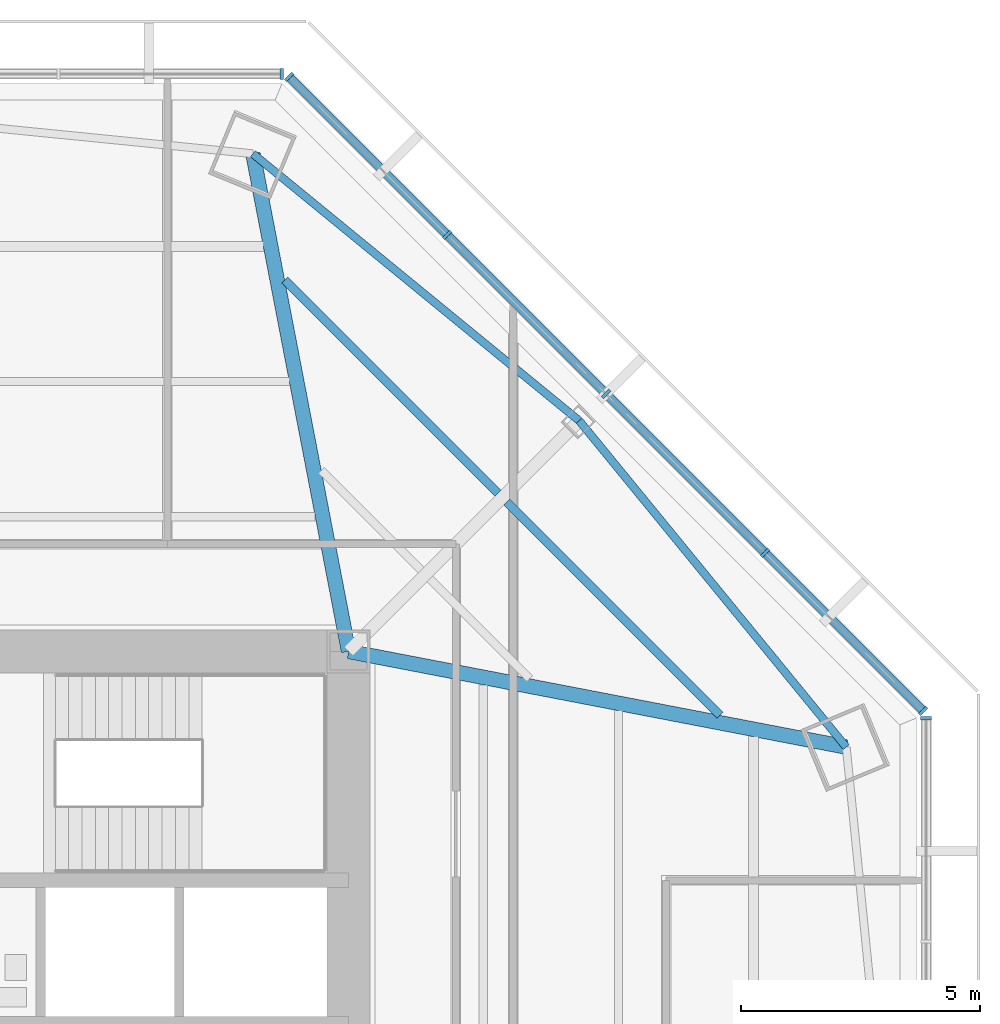
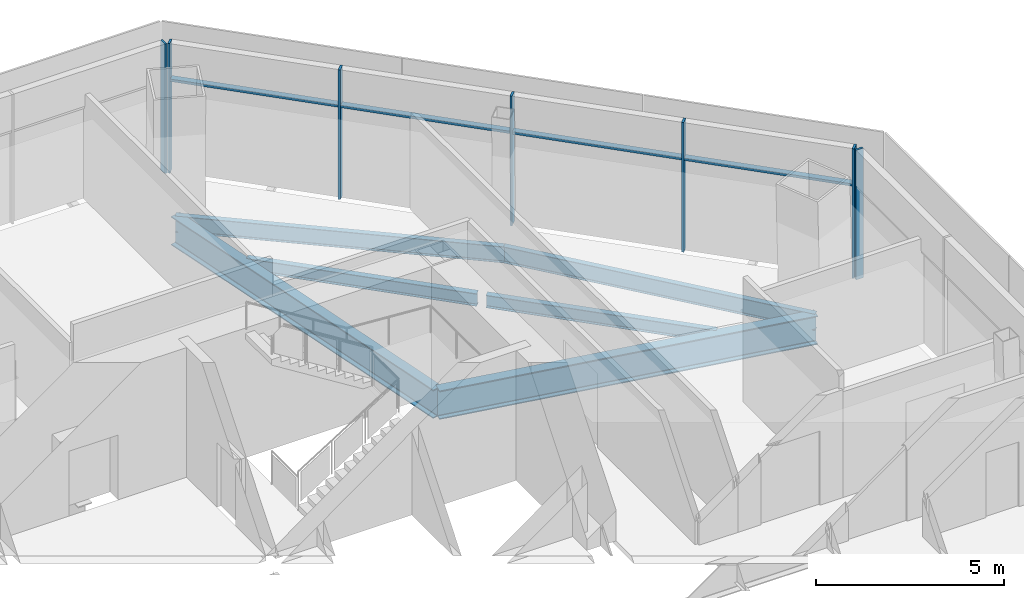
# One storey, part 6 of 14: 11 members, 6 beams, 3 elements without a shape of their own.
"""IFC4 building model written with IfcOpenShell, lengths in metres."""

from ifc_helpers import new_model, si_unit, direction, frame, origin, origin_2d, place, context, subcontext, project, spatial, rectangle, i_section, extrude, source, transform, mapped, material, material_profile, profile_set, type_object, type_shapes, element, aggregate, save


model = new_model("IFC4")

# Units and contexts
model_context = context("Model", 3, precision=1e-05, world=origin(), true_north=direction((0.0, 1.0)))
body_context = subcontext(model_context, "Body", "Model", "MODEL_VIEW")
ifc_project = project(units=[si_unit("LENGTHUNIT", "METRE"), si_unit("AREAUNIT", "SQUARE_METRE"), si_unit("VOLUMEUNIT", "CUBIC_METRE"), si_unit("PLANEANGLEUNIT", "RADIAN"), si_unit("MASSUNIT", "GRAM", prefix="KILO")], contexts=[model_context])

# Site, building, storey
site_placement = place(None, origin())
site = spatial("IfcSite", under=ifc_project, at=site_placement, CompositionType="ELEMENT")
building_placement = place(site_placement, origin())
building = spatial("IfcBuilding", under=site, at=building_placement, Name="Mashrafa Tower", CompositionType="ELEMENT")
storey_placement = place(building_placement, frame((0.0, 0.0, 180.60009765625)))
storey = spatial("IfcBuildingStorey", under=building, at=storey_placement, Name="L41", CompositionType="ELEMENT", Elevation=180.60009765625)

# Beams
ifc_material_1 = material(Name="Steel ASTM A992", Category="steel")
ifc_material_profile_1 = material_profile(ifc_material_1, i_section(OverallWidth=0.177734375, OverallDepth=0.406494140625, WebThickness=0.0078125, FlangeThickness=0.012939453125, FilletRadius=0.01025390625, at=origin_2d()), Name="W16X40")
ifc_profile_set_1 = profile_set([ifc_material_profile_1], Name="Steel ASTM A992")
beam_type_1 = type_object("IfcBeamType", Name="Beam W16X40", PredefinedType="BEAM", material=ifc_profile_set_1)
for number, where, z_axis, x_axis, name in (
    (1, (9.459716796875, 18.586181640625, -0.368408203125), (0.707106781187, -0.707106781187, 0.0), (0.707106781187, 0.707106781187, 0.0), "Floor beam L41 025"),
    (2, (14.11279296875, 13.93310546875, -0.368408203125), (0.707106781187, -0.707106781187, 0.0), (0.707106781187, 0.707106781187, 0.0), "Floor beam L41 034"),
):
    element("IfcBeam", number, at=place(storey_placement, frame(where, z_axis=z_axis, x_axis=x_axis)), inside=storey, type_object=beam_type_1, Name=name, PredefinedType="BEAM", context=body_context, shape_type="SweptSolid", body=[
        extrude(i_section(OverallWidth=0.177734375, OverallDepth=0.406494140625, WebThickness=0.0078125, FlangeThickness=0.012939453125, FilletRadius=0.01025390625, at=origin_2d()), origin(), (0.0, 0.0, 1.0), 6.326416015625),
    ])
ifc_material_2 = material(Name="Steel ASTM A992", Category="steel")
ifc_material_profile_2 = material_profile(ifc_material_2, i_section(OverallWidth=0.1650390625, OverallDepth=0.52587890625, WebThickness=0.0087890625, FlangeThickness=0.011474609375, FilletRadius=0.0126953125, at=origin_2d()), Name="W21X44")
ifc_profile_set_2 = profile_set([ifc_material_profile_2], Name="Steel ASTM A992")
beam_type_2 = type_object("IfcBeamType", Name="Beam W21X44", PredefinedType="BEAM", material=ifc_profile_set_2)
for number, where, z_axis, x_axis, name in (
    (3, (15.634521484375, 15.634521484375, -0.427978515625), (-0.773864988904, 0.63335059718, 0.0), (-0.63335059718, -0.773864988904, 0.0), "Spandrel beam L41 069"),
    (4, (21.232421875, 8.794677734375, -0.427978515625), (-0.63335059718, 0.773864988904, 0.0), (-0.773864988904, -0.63335059718, 0.0), "Spandrel beam L41 071"),
):
    element("IfcBeam", number, at=place(storey_placement, frame(where, z_axis=z_axis, x_axis=x_axis)), inside=storey, type_object=beam_type_2, Name=name, PredefinedType="BEAM", context=body_context, shape_type="SweptSolid", body=[
        extrude(i_section(OverallWidth=0.1650390625, OverallDepth=0.52587890625, WebThickness=0.0087890625, FlangeThickness=0.011474609375, FilletRadius=0.0126953125, at=origin_2d()), origin(), (0.0, 0.0, 1.0), 8.838623046875),
    ])
ifc_material_3 = material(Name="Steel ASTM A992", Category="steel")
ifc_material_profile_3 = material_profile(ifc_material_3, i_section(OverallWidth=0.307373046875, OverallDepth=0.927001953125, WebThickness=0.01953125, FlangeThickness=0.031982421875, FilletRadius=0.01904296875, at=origin_2d()), Name="W36X194")
ifc_profile_set_3 = profile_set([ifc_material_profile_3], Name="Steel ASTM A992")
beam_type_3 = type_object("IfcBeamType", Name="Beam W36X194", PredefinedType="BEAM", material=ifc_profile_set_3)
for number, where, z_axis, x_axis, name in (
    (5, (10.800048828125, 10.800048828125, -0.628662109375), (-0.188769826489, 0.982021360566, 0.0), (-0.982021360566, -0.188769826489, 0.0), "Radial girder L41 054"),
    (6, (10.800048828125, 10.800048828125, -0.628662109375), (0.982021360566, -0.188769826489, 0.0), (0.188769826489, 0.982021360566, 0.0), "Radial girder L41 056"),
):
    element("IfcBeam", number, at=place(storey_placement, frame(where, z_axis=z_axis, x_axis=x_axis)), inside=storey, type_object=beam_type_3, Name=name, PredefinedType="BEAM", context=body_context, shape_type="SweptSolid", body=[
        extrude(i_section(OverallWidth=0.307373046875, OverallDepth=0.927001953125, WebThickness=0.01953125, FlangeThickness=0.031982421875, FilletRadius=0.01904296875, at=origin_2d()), origin(), (0.0, 0.0, 1.0), 10.623291015625),
    ])

# Curtain wall, member
ifc_material_4 = material(Name="Unitised aluminium curtain wall", Category="aluminium")
curtain_wall_type = type_object("IfcCurtainWallType", Name="Office curtain wall, zone 2 CW-B 225 deep", PredefinedType="NOTDEFINED", material=ifc_material_4)
curtain_wall_1_placement = place(storey_placement, origin())
curtain_wall_1 = element("IfcCurtainWall", 7, at=curtain_wall_1_placement, inside=storey, type_object=curtain_wall_type, Name="Office curtain wall, zone 2 L41 east", PredefinedType="NOTDEFINED")
ifc_material_5 = material(Name="Extruded aluminium mullion", Category="aluminium")
ifc_material_profile_4 = material_profile(ifc_material_5, rectangle(XDim=0.22509765625, YDim=0.06494140625, at=origin_2d()), Name="Mullion 65x225")
ifc_profile_set_4 = profile_set([ifc_material_profile_4], Name="Extruded aluminium mullion")
member_type_1 = type_object("IfcMemberType", Name="Mullion CW-B 65 x 225", PredefinedType="MULLION", material=ifc_profile_set_4)
shared_shape_1 = source(origin(), body_context, "Body", "SweptSolid", [
    extrude(rectangle(XDim=0.22509765625, YDim=0.06494140625, at=origin_2d()), origin(), (0.0, 0.0, 1.0), 4.199951171875),
])
type_shapes(member_type_1, [shared_shape_1])
member_1_placement = place(storey_placement, frame((22.90576171875, 9.398681640625, 0.0), z_axis=(0.0, 0.0, 1.0), x_axis=(-1.0, 0.0, 0.0)))
member_1 = element("IfcMember", 8, at=member_1_placement, type_object=member_type_1, Name="CW-B mullion 5", PredefinedType="MULLION", context=body_context, shape_type="MappedRepresentation", body=[
    mapped(shared_shape_1, transform((0.0, 0.0, 0.0))),
])
aggregate(curtain_wall_1, [member_1])

# Curtain wall, members
curtain_wall_2_placement = place(storey_placement, origin())
curtain_wall_2 = element("IfcCurtainWall", 9, at=curtain_wall_2_placement, inside=storey, type_object=curtain_wall_type, Name="Office curtain wall, zone 2 L41 north-east", PredefinedType="NOTDEFINED")
member_2_placement = place(storey_placement, frame((22.8427734375, 9.55078125, 0.0), z_axis=(0.0, 0.0, 1.0), x_axis=(-0.707106781187, -0.707106781187, 0.0)))
member_2 = element("IfcMember", 10, at=member_2_placement, type_object=member_type_1, Name="CW-B mullion 1", PredefinedType="MULLION", context=body_context, shape_type="MappedRepresentation", body=[
    mapped(shared_shape_1, transform((0.0, 0.0, 0.0))),
])
member_3_placement = place(storey_placement, frame((19.53125, 12.8623046875, 0.0), z_axis=(0.0, 0.0, 1.0), x_axis=(-0.707106781187, -0.707106781187, 0.0)))
member_3 = element("IfcMember", 11, at=member_3_placement, type_object=member_type_1, Name="CW-B mullion 2", PredefinedType="MULLION", context=body_context, shape_type="MappedRepresentation", body=[
    mapped(shared_shape_1, transform((0.0, 0.0, 0.0))),
])
member_4_placement = place(storey_placement, frame((16.19677734375, 16.19677734375, 0.0), z_axis=(0.0, 0.0, 1.0), x_axis=(-0.707106781187, -0.707106781187, 0.0)))
member_4 = element("IfcMember", 12, at=member_4_placement, type_object=member_type_1, Name="CW-B mullion 3", PredefinedType="MULLION", context=body_context, shape_type="MappedRepresentation", body=[
    mapped(shared_shape_1, transform((0.0, 0.0, 0.0))),
])
member_5_placement = place(storey_placement, frame((12.8623046875, 19.53125, 0.0), z_axis=(0.0, 0.0, 1.0), x_axis=(-0.707106781187, -0.707106781187, 0.0)))
member_5 = element("IfcMember", 13, at=member_5_placement, type_object=member_type_1, Name="CW-B mullion 4", PredefinedType="MULLION", context=body_context, shape_type="MappedRepresentation", body=[
    mapped(shared_shape_1, transform((0.0, 0.0, 0.0))),
])
member_6_placement = place(storey_placement, frame((9.55078125, 22.8427734375, 0.0), z_axis=(0.0, 0.0, 1.0), x_axis=(-0.707106781187, -0.707106781187, 0.0)))
member_6 = element("IfcMember", 14, at=member_6_placement, type_object=member_type_1, Name="CW-B mullion 5", PredefinedType="MULLION", context=body_context, shape_type="MappedRepresentation", body=[
    mapped(shared_shape_1, transform((0.0, 0.0, 0.0))),
])

# Curtain wall, member
curtain_wall_3_placement = place(storey_placement, origin())
curtain_wall_3 = element("IfcCurtainWall", 15, at=curtain_wall_3_placement, inside=storey, type_object=curtain_wall_type, Name="Office curtain wall, zone 2 L41 north", PredefinedType="NOTDEFINED")
member_7_placement = place(storey_placement, frame((9.398681640625, 22.90576171875, 0.0), z_axis=(0.0, 0.0, 1.0), x_axis=(0.0, -1.0, 0.0)))
member_7 = element("IfcMember", 16, at=member_7_placement, type_object=member_type_1, Name="CW-B mullion 1", PredefinedType="MULLION", context=body_context, shape_type="MappedRepresentation", body=[
    mapped(shared_shape_1, transform((0.0, 0.0, 0.0))),
])
aggregate(curtain_wall_3, [member_7])

# Member
ifc_material_6 = material(Name="Extruded aluminium transom", Category="aluminium")
ifc_material_profile_5 = material_profile(ifc_material_6, rectangle(XDim=0.179931640625, YDim=0.080078125, at=origin_2d()), Name="Transom 80x180")
ifc_profile_set_5 = profile_set([ifc_material_profile_5], Name="Extruded aluminium transom")
member_type_2 = type_object("IfcMemberType", Name="Transom CW-B 80 x 180", PredefinedType="MULLION", material=ifc_profile_set_5)
shared_shape_2 = source(origin(), body_context, "Body", "SweptSolid", [
    extrude(rectangle(XDim=0.179931640625, YDim=0.080078125, at=origin_2d()), origin(), (0.0, 0.0, 1.0), 4.6181640625),
])
member_8_placement = place(storey_placement, frame((22.81982421875, 9.573974609375, 3.0), z_axis=(-0.707133213603, 0.707080347782, 0.0), x_axis=(-0.707080347782, -0.707133213603, 0.0)))
member_8 = element("IfcMember", 17, at=member_8_placement, type_object=member_type_2, Name="CW-B transom 1", PredefinedType="MULLION", context=body_context, shape_type="MappedRepresentation", body=[
    mapped(shared_shape_2, transform((0.0, 0.0, 0.0))),
])

member_9_placement = place(storey_placement, frame((12.83935546875, 19.55419921875, 3.0), z_axis=(-0.707080347782, 0.707133213603, 0.0), x_axis=(-0.707133213603, -0.707080347782, 0.0)))
member_9 = element("IfcMember", 18, at=member_9_placement, type_object=member_type_2, Name="CW-B transom 4", PredefinedType="MULLION", context=body_context, shape_type="MappedRepresentation", body=[
    mapped(shared_shape_2, transform((0.0, 0.0, 0.0))),
])

shared_shape_3 = source(origin(), body_context, "Body", "SweptSolid", [
    extrude(rectangle(XDim=0.179931640625, YDim=0.080078125, at=origin_2d()), origin(), (0.0, 0.0, 1.0), 4.650634765625),
])
type_shapes(member_type_2, [shared_shape_2, shared_shape_3])
member_10_placement = place(storey_placement, frame((19.50830078125, 12.88525390625, 3.0), z_axis=(-0.707106781187, 0.707106781187, 0.0), x_axis=(-0.707106781187, -0.707106781187, 0.0)))
member_10 = element("IfcMember", 19, at=member_10_placement, type_object=member_type_2, Name="CW-B transom 2", PredefinedType="MULLION", context=body_context, shape_type="MappedRepresentation", body=[
    mapped(shared_shape_3, transform((0.0, 0.0, 0.0))),
])

member_11_placement = place(storey_placement, frame((16.173828125, 16.2197265625, 3.0), z_axis=(-0.707106781187, 0.707106781187, 0.0), x_axis=(-0.707106781187, -0.707106781187, 0.0)))
member_11 = element("IfcMember", 20, at=member_11_placement, type_object=member_type_2, Name="CW-B transom 3", PredefinedType="MULLION", context=body_context, shape_type="MappedRepresentation", body=[
    mapped(shared_shape_3, transform((0.0, 0.0, 0.0))),
])

aggregate(curtain_wall_2, [member_2, member_3, member_4, member_5, member_6, member_8, member_10, member_11, member_9])

save(model, "model.ifc")
